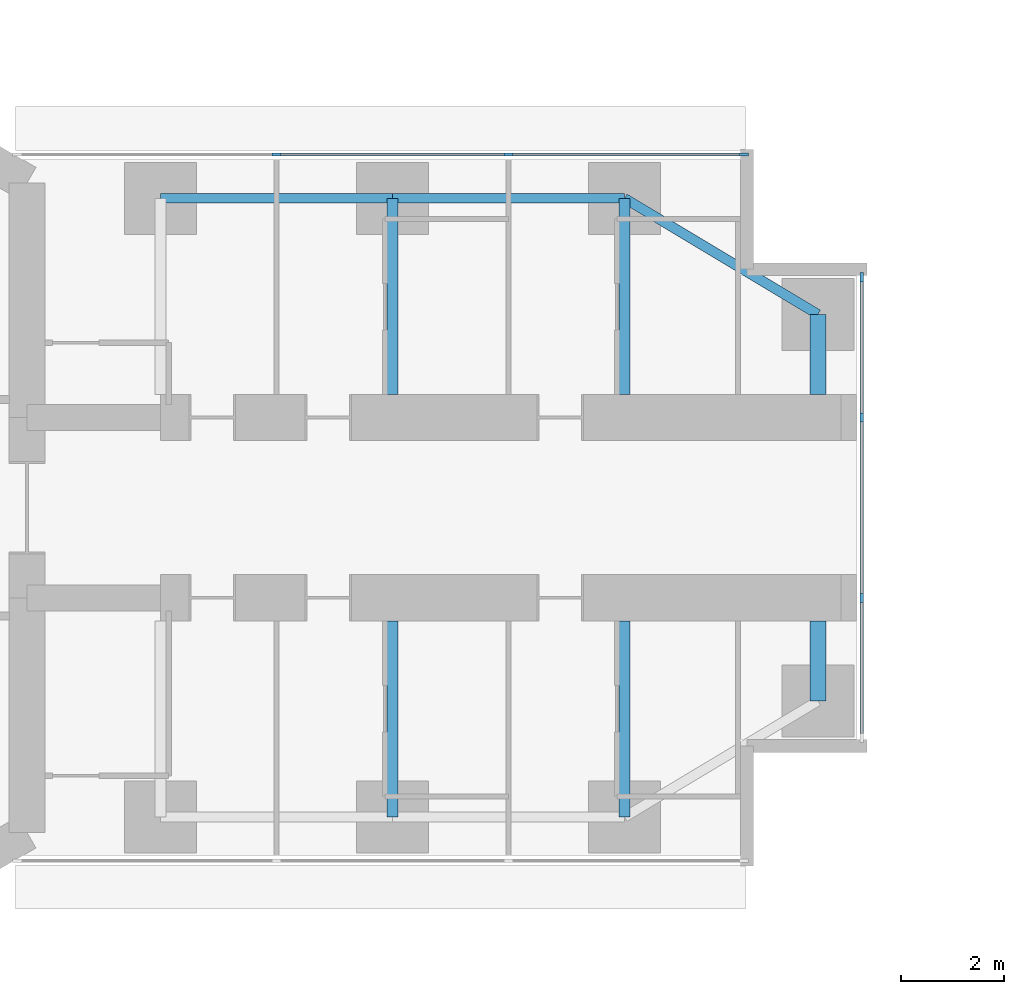
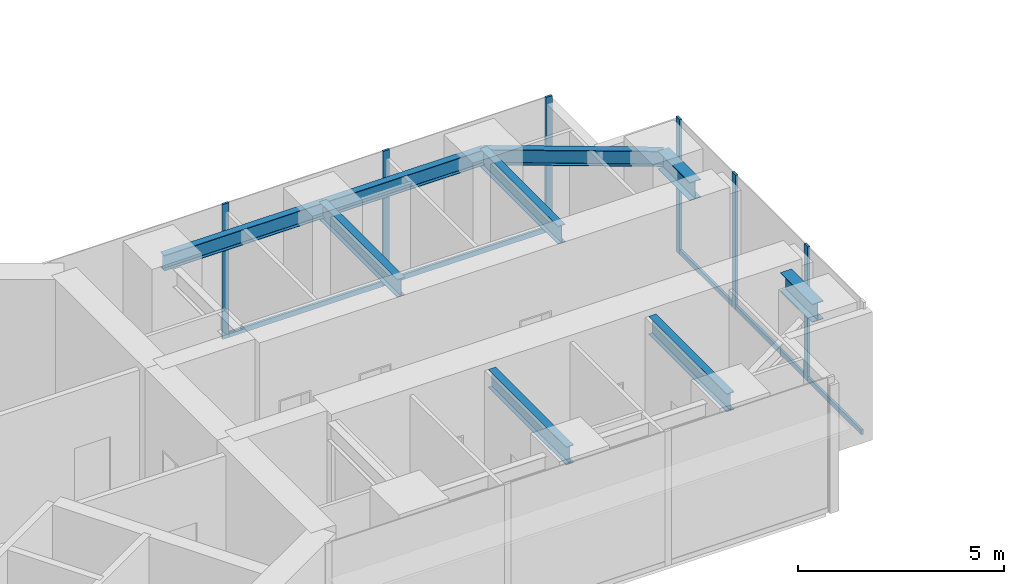
# One storey, part 8 of 25: 11 members, 9 beams, 2 elements without a shape of their own.
"""IFC4 building model written with IfcOpenShell, lengths in metres."""

from ifc_helpers import new_model, si_unit, direction, frame, origin, origin_2d, place, context, subcontext, project, spatial, rectangle, i_section, extrude, material, material_profile, profile_set, type_object, element, aggregate, save


model = new_model("IFC4")

# Units and contexts
model_context = context("Model", 3, precision=1e-05, world=origin(), true_north=direction((0.0, 1.0)))
body_context = subcontext(model_context, "Body", "Model", "MODEL_VIEW")
ifc_project = project(units=[si_unit("LENGTHUNIT", "METRE"), si_unit("AREAUNIT", "SQUARE_METRE"), si_unit("VOLUMEUNIT", "CUBIC_METRE"), si_unit("PLANEANGLEUNIT", "RADIAN"), si_unit("MASSUNIT", "GRAM", prefix="KILO")], contexts=[model_context])

# Site, building, storey
site_placement = place(None, origin())
site = spatial("IfcSite", under=ifc_project, at=site_placement, CompositionType="ELEMENT")
building_placement = place(site_placement, origin())
building = spatial("IfcBuilding", under=site, at=building_placement, Name="Upepo Twin Towers", CompositionType="ELEMENT")
storey_placement = place(building_placement, frame((0.0, 0.0, 84.5)))
storey = spatial("IfcBuildingStorey", under=building, at=storey_placement, Name="L20", CompositionType="ELEMENT", Elevation=84.5)

# Beams
ifc_material_1 = material(Name="Steel S355", Category="steel")
ifc_material_profile_1 = material_profile(ifc_material_1, i_section(OverallWidth=0.1904296875, OverallDepth=0.45703125, WebThickness=0.009033203125, FlangeThickness=0.014404296875, FilletRadius=0.01025390625, at=origin_2d()), Name="UB 457x191x74")
ifc_profile_set_1 = profile_set([ifc_material_profile_1], Name="Steel S355")
beam_type_1 = type_object("IfcBeamType", Name="Beam UB 457x191x74", PredefinedType="BEAM", material=ifc_profile_set_1)
for number, where, z_axis, x_axis, name in (
    (1, (13.5, 6.0, 3.571533203125), (1.0, 0.0, 0.0), (0.0, 1.0, 0.0), "T1 edge beam AL 13.5-18.0"),
    (2, (18.0, 6.0, 3.571533203125), (1.0, 0.0, 0.0), (0.0, 1.0, 0.0), "T1 edge beam AL 18.0-22.5"),
):
    element("IfcBeam", number, at=place(storey_placement, frame(where, z_axis=z_axis, x_axis=x_axis)), inside=storey, type_object=beam_type_1, Name=name, PredefinedType="BEAM", context=body_context, shape_type="SweptSolid", body=[
        extrude(i_section(OverallWidth=0.1904296875, OverallDepth=0.45703125, WebThickness=0.009033203125, FlangeThickness=0.014404296875, FilletRadius=0.01025390625, at=origin_2d()), origin(), (0.0, 0.0, 1.0), 4.5),
    ])
beam_placement = place(storey_placement, frame((22.5, 6.0, 3.571533203125), z_axis=(0.857492925713, -0.514495755428, 0.0), x_axis=(0.514495755428, 0.857492925713, 0.0)))
element("IfcBeam", 3, at=beam_placement, inside=storey, type_object=beam_type_1, Name="T1 nose edge beam AL", PredefinedType="BEAM", context=body_context, shape_type="SweptSolid", body=[
    extrude(i_section(OverallWidth=0.1904296875, OverallDepth=0.45703125, WebThickness=0.009033203125, FlangeThickness=0.014404296875, FilletRadius=0.01025390625, at=origin_2d()), origin(), (0.0, 0.0, 1.0), 4.373291015625),
])
ifc_material_2 = material(Name="Steel S355", Category="steel")
ifc_material_profile_2 = material_profile(ifc_material_2, i_section(OverallWidth=0.209228515625, OverallDepth=0.533203125, WebThickness=0.010009765625, FlangeThickness=0.015625, FilletRadius=0.0126953125, at=origin_2d()), Name="UB 533x210x92")
ifc_profile_set_2 = profile_set([ifc_material_profile_2], Name="Steel S355")
beam_type_2 = type_object("IfcBeamType", Name="Beam UB 533x210x92", PredefinedType="BEAM", material=ifc_profile_set_2)
for number, where, z_axis, x_axis, name in (
    (4, (18.0, 6.0, 3.533447265625), (0.0, -1.0, 0.0), (1.0, 0.0, 0.0), "T1 girder AL at 18.0"),
    (5, (22.5, 6.0, 3.533447265625), (0.0, -1.0, 0.0), (1.0, 0.0, 0.0), "T1 girder AL at 22.5"),
    (6, (18.0, -6.0, 3.533447265625), (0.0, 1.0, 0.0), (-1.0, 0.0, 0.0), "T1 girder AR at 18.0"),
    (7, (22.5, -6.0, 3.533447265625), (0.0, 1.0, 0.0), (-1.0, 0.0, 0.0), "T1 girder AR at 22.5"),
):
    element("IfcBeam", number, at=place(storey_placement, frame(where, z_axis=z_axis, x_axis=x_axis)), inside=storey, type_object=beam_type_2, Name=name, PredefinedType="BEAM", context=body_context, shape_type="SweptSolid", body=[
        extrude(i_section(OverallWidth=0.209228515625, OverallDepth=0.533203125, WebThickness=0.010009765625, FlangeThickness=0.015625, FilletRadius=0.0126953125, at=origin_2d()), origin(), (0.0, 0.0, 1.0), 3.800048828125),
    ])
ifc_material_3 = material(Name="Steel S355", Category="steel")
ifc_material_profile_3 = material_profile(ifc_material_3, i_section(OverallWidth=0.31201171875, OverallDepth=0.54345703125, WebThickness=0.0126953125, FlangeThickness=0.020263671875, FilletRadius=0.0126953125, at=origin_2d()), Name="UB 533x312x150")
ifc_profile_set_3 = profile_set([ifc_material_profile_3], Name="Steel S355")
beam_type_3 = type_object("IfcBeamType", Name="Beam UB 533x312x150", PredefinedType="BEAM", material=ifc_profile_set_3)
for number, where, z_axis, x_axis, name in (
    (8, (26.25, 3.75, 3.5283203125), (0.0, -1.0, 0.0), (1.0, 0.0, 0.0), "T1 nose beam AL"),
    (9, (26.25, -3.75, 3.5283203125), (0.0, 1.0, 0.0), (-1.0, 0.0, 0.0), "T1 nose beam AR"),
):
    element("IfcBeam", number, at=place(storey_placement, frame(where, z_axis=z_axis, x_axis=x_axis)), inside=storey, type_object=beam_type_3, Name=name, PredefinedType="BEAM", context=body_context, shape_type="SweptSolid", body=[
        extrude(i_section(OverallWidth=0.31201171875, OverallDepth=0.54345703125, WebThickness=0.0126953125, FlangeThickness=0.020263671875, FilletRadius=0.0126953125, at=origin_2d()), origin(), (0.0, 0.0, 1.0), 1.550048828125),
    ])

# Curtain wall, members
ifc_material_4 = material(Name="Aluminium and fritted glass", Category="aluminium")
curtain_wall_type = type_object("IfcCurtainWallType", Name="Tower curtain wall TW1, fritted glass", PredefinedType="NOTDEFINED", material=ifc_material_4)
curtain_wall_1_placement = place(storey_placement, origin())
curtain_wall_1 = element("IfcCurtainWall", 10, at=curtain_wall_1_placement, inside=storey, type_object=curtain_wall_type, Name="T1 L20 wing A flank L curtain wall", PredefinedType="NOTDEFINED")
ifc_material_5 = material(Name="Aluminium mullion", Category="aluminium")
ifc_material_profile_4 = material_profile(ifc_material_5, rectangle(XDim=0.06494140625, YDim=0.179931640625, at=origin_2d()), Name="MULLION 65x180")
ifc_profile_set_4 = profile_set([ifc_material_profile_4], Name="Aluminium mullion")
member_type_1 = type_object("IfcMemberType", Name="Mullion 65x180 TW1", PredefinedType="MULLION", material=ifc_profile_set_4)
member_1_placement = place(storey_placement, frame((15.75, 6.85009765625, 0.0), z_axis=(0.0, 0.0, 1.0), x_axis=(0.0, 1.0, 0.0)))
member_1 = element("IfcMember", 11, at=member_1_placement, type_object=member_type_1, Name="T1 L20 wing A flank L curtain wall mullion 2", PredefinedType="MULLION", context=body_context, shape_type="SweptSolid", body=[
    extrude(rectangle(XDim=0.06494140625, YDim=0.179931640625, at=origin_2d()), origin(), (0.0, 0.0, 1.0), 4.0),
])
member_2_placement = place(storey_placement, frame((20.25, 6.85009765625, 0.0), z_axis=(0.0, 0.0, 1.0), x_axis=(0.0, 1.0, 0.0)))
member_2 = element("IfcMember", 12, at=member_2_placement, type_object=member_type_1, Name="T1 L20 wing A flank L curtain wall mullion 3", PredefinedType="MULLION", context=body_context, shape_type="SweptSolid", body=[
    extrude(rectangle(XDim=0.06494140625, YDim=0.179931640625, at=origin_2d()), origin(), (0.0, 0.0, 1.0), 4.0),
])
member_3_placement = place(storey_placement, frame((24.8173828125, 6.85009765625, 0.0), z_axis=(0.0, 0.0, 1.0), x_axis=(0.0, 1.0, 0.0)))
member_3 = element("IfcMember", 13, at=member_3_placement, type_object=member_type_1, Name="T1 L20 wing A flank L curtain wall mullion 4", PredefinedType="MULLION", context=body_context, shape_type="SweptSolid", body=[
    extrude(rectangle(XDim=0.06494140625, YDim=0.179931640625, at=origin_2d()), origin(), (0.0, 0.0, 1.0), 4.0),
])

curtain_wall_2_placement = place(storey_placement, origin())
curtain_wall_2 = element("IfcCurtainWall", 14, at=curtain_wall_2_placement, inside=storey, type_object=curtain_wall_type, Name="T1 L20 wing A nose curtain wall", PredefinedType="NOTDEFINED")
member_4_placement = place(storey_placement, frame((27.10009765625, -1.75, 0.0), z_axis=(0.0, 0.0, 1.0), x_axis=(-1.0, 0.0, 0.0)))
member_4 = element("IfcMember", 15, at=member_4_placement, type_object=member_type_1, Name="T1 L20 wing A nose curtain wall mullion 2", PredefinedType="MULLION", context=body_context, shape_type="SweptSolid", body=[
    extrude(rectangle(XDim=0.06494140625, YDim=0.179931640625, at=origin_2d()), origin(), (0.0, 0.0, 1.0), 4.0),
])
member_5_placement = place(storey_placement, frame((27.10009765625, 1.75, 0.0), z_axis=(0.0, 0.0, 1.0), x_axis=(-1.0, 0.0, 0.0)))
member_5 = element("IfcMember", 16, at=member_5_placement, type_object=member_type_1, Name="T1 L20 wing A nose curtain wall mullion 3", PredefinedType="MULLION", context=body_context, shape_type="SweptSolid", body=[
    extrude(rectangle(XDim=0.06494140625, YDim=0.179931640625, at=origin_2d()), origin(), (0.0, 0.0, 1.0), 4.0),
])
member_6_placement = place(storey_placement, frame((27.10009765625, 4.467529296875, 0.0), z_axis=(0.0, 0.0, 1.0), x_axis=(-1.0, 0.0, 0.0)))
member_6 = element("IfcMember", 17, at=member_6_placement, type_object=member_type_1, Name="T1 L20 wing A nose curtain wall mullion 4", PredefinedType="MULLION", context=body_context, shape_type="SweptSolid", body=[
    extrude(rectangle(XDim=0.06494140625, YDim=0.179931640625, at=origin_2d()), origin(), (0.0, 0.0, 1.0), 4.0),
])

# Member
ifc_material_6 = material(Name="Aluminium transom", Category="aluminium")
ifc_material_profile_5 = material_profile(ifc_material_6, rectangle(XDim=0.06494140625, YDim=0.14990234375, at=origin_2d()), Name="TRANSOM 65x150")
ifc_profile_set_5 = profile_set([ifc_material_profile_5], Name="Aluminium transom")
member_type_2 = type_object("IfcMemberType", Name="Transom 65x150 TW1", PredefinedType="USERDEFINED", material=ifc_profile_set_5)
member_7_placement = place(storey_placement, frame((15.782470703125, 6.85009765625, 0.074951171875), z_axis=(1.0, 0.0, 0.0), x_axis=(0.0, 1.0, 0.0)))
member_7 = element("IfcMember", 18, at=member_7_placement, type_object=member_type_2, Name="T1 L20 wing A flank L curtain wall transom 2", ObjectType="TRANSOM", PredefinedType="USERDEFINED", context=body_context, shape_type="SweptSolid", body=[
    extrude(rectangle(XDim=0.06494140625, YDim=0.14990234375, at=origin_2d()), origin(), (0.0, 0.0, 1.0), 4.43505859375),
])

member_8_placement = place(storey_placement, frame((20.282470703125, 6.85009765625, 0.074951171875), z_axis=(1.0, 0.0, 0.0), x_axis=(0.0, 1.0, 0.0)))
member_8 = element("IfcMember", 19, at=member_8_placement, type_object=member_type_2, Name="T1 L20 wing A flank L curtain wall transom 3", ObjectType="TRANSOM", PredefinedType="USERDEFINED", context=body_context, shape_type="SweptSolid", body=[
    extrude(rectangle(XDim=0.06494140625, YDim=0.14990234375, at=origin_2d()), origin(), (0.0, 0.0, 1.0), 4.50244140625),
])

aggregate(curtain_wall_1, [member_1, member_2, member_3, member_7, member_8])

member_9_placement = place(storey_placement, frame((27.10009765625, -4.43505859375, 0.074951171875), z_axis=(0.0, 1.0, 0.0), x_axis=(-1.0, 0.0, 0.0)))
member_9 = element("IfcMember", 20, at=member_9_placement, type_object=member_type_2, Name="T1 L20 wing A nose curtain wall transom 1", ObjectType="TRANSOM", PredefinedType="USERDEFINED", context=body_context, shape_type="SweptSolid", body=[
    extrude(rectangle(XDim=0.06494140625, YDim=0.14990234375, at=origin_2d()), origin(), (0.0, 0.0, 1.0), 2.652587890625),
])

member_10_placement = place(storey_placement, frame((27.10009765625, -1.717529296875, 0.074951171875), z_axis=(0.0, 1.0, 0.0), x_axis=(-1.0, 0.0, 0.0)))
member_10 = element("IfcMember", 21, at=member_10_placement, type_object=member_type_2, Name="T1 L20 wing A nose curtain wall transom 2", ObjectType="TRANSOM", PredefinedType="USERDEFINED", context=body_context, shape_type="SweptSolid", body=[
    extrude(rectangle(XDim=0.06494140625, YDim=0.14990234375, at=origin_2d()), origin(), (0.0, 0.0, 1.0), 3.43505859375),
])

member_11_placement = place(storey_placement, frame((27.10009765625, 1.782470703125, 0.074951171875), z_axis=(0.0, 1.0, 0.0), x_axis=(-1.0, 0.0, 0.0)))
member_11 = element("IfcMember", 22, at=member_11_placement, type_object=member_type_2, Name="T1 L20 wing A nose curtain wall transom 3", ObjectType="TRANSOM", PredefinedType="USERDEFINED", context=body_context, shape_type="SweptSolid", body=[
    extrude(rectangle(XDim=0.06494140625, YDim=0.14990234375, at=origin_2d()), origin(), (0.0, 0.0, 1.0), 2.652587890625),
])

aggregate(curtain_wall_2, [member_4, member_5, member_6, member_9, member_10, member_11])

save(model, "model.ifc")
